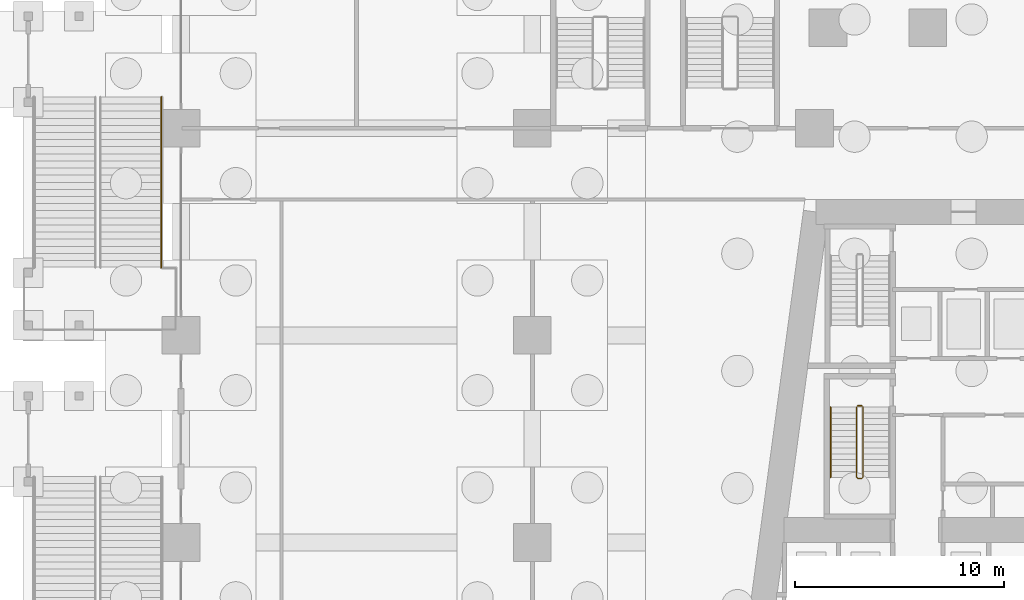
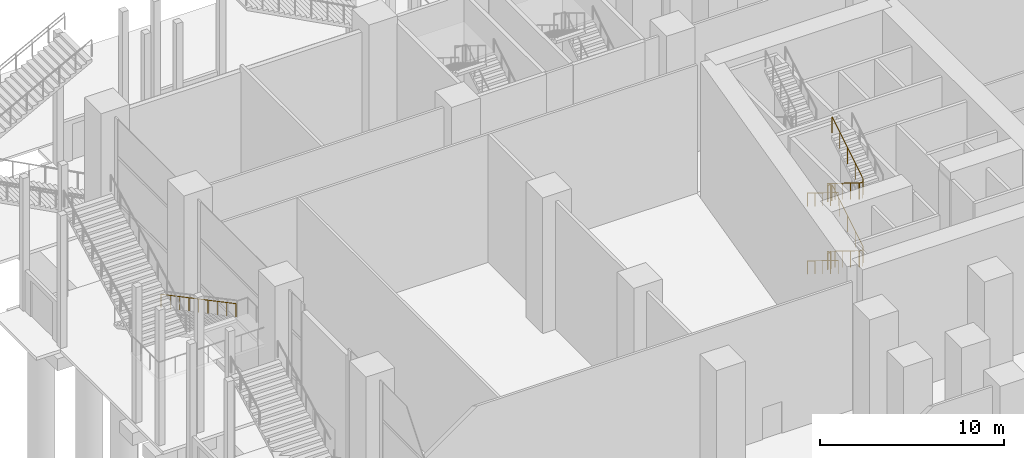
# One storey, part 60 of 72: 7 railings.
"""IFC4 building model written with IfcOpenShell, lengths in metres."""

import ifcopenshell
import ifcopenshell.guid

model = None  # the IFC model being written
_history = None  # IfcOwnerHistory: only IFC2X3 demands one
_inside = {}  # id of a spatial element -> (the spatial element, [elements in it])
_under = {}  # id of a project, library or spatial element -> (it, [spatial elements below it])
_declared = {}  # id of a project -> (the project, [libraries it declares])
_typed = {}  # id of a type object -> (the type object, [elements of that type])
_made_of = {}  # id of a material, layer set ... -> (it, [elements and type objects made of it])


def new_model(schema):
    """Start an empty IFC model of exactly this schema.

    Asked for "IFC4X3", IfcOpenShell would pick the latest addendum, in which some entities
    have other attributes; the version numbers below select the first issue.
    IFC2X3 requires an IfcOwnerHistory on every rooted entity: one is made here for all.
    """
    global model, _history
    if schema == "IFC4X3":
        model = ifcopenshell.file(schema_version=(4, 3, 0, 0))
    else:
        model = ifcopenshell.file(schema=schema)
    _inside.clear()
    _under.clear()
    _declared.clear()
    _typed.clear()
    _made_of.clear()
    _history = None
    if model.schema == "IFC2X3":
        org = make("IfcOrganization", Name="unknown")
        user = make(
            "IfcPersonAndOrganization",
            ThePerson=make("IfcPerson", FamilyName="unknown"),
            TheOrganization=org,
        )
        app = make(
            "IfcApplication",
            ApplicationDeveloper=org,
            Version="unknown",
            ApplicationFullName="unknown",
            ApplicationIdentifier="unknown",
        )
        _history = make(
            "IfcOwnerHistory",
            OwningUser=user,
            OwningApplication=app,
            ChangeAction="ADDED",
            CreationDate=0,
        )
    return model


def make(cls, **values):
    """One entity of the class cls with the attributes given. An attribute that is None is left unset."""
    return model.create_entity(
        cls, **{name: value for name, value in values.items() if value is not None}
    )


def rooted(cls, **values):
    """An entity with a GlobalId (a new one), such as an element, a storey or a relation."""
    return make(cls, GlobalId=ifcopenshell.guid.new(), OwnerHistory=_history, **values)


def si_unit(unit_type, name, prefix=None):
    """IfcSIUnit, for example si_unit("LENGTHUNIT", "METRE", prefix="MILLI")."""
    return make("IfcSIUnit", UnitType=unit_type, Prefix=prefix, Name=name)


def assignment(units):
    """IfcUnitAssignment: the units of a project."""
    return None if units is None else make("IfcUnitAssignment", Units=units)


def point(xyz):
    """IfcCartesianPoint."""
    return None if xyz is None else make("IfcCartesianPoint", Coordinates=xyz)


def direction(xyz):
    """IfcDirection."""
    return None if xyz is None else make("IfcDirection", DirectionRatios=xyz)


def frame(location, z_axis=None, x_axis=None):
    """IfcAxis2Placement3D, a coordinate frame: its origin and axes. An axis left out is left unset."""
    return make(
        "IfcAxis2Placement3D",
        Location=point(location),
        Axis=direction(z_axis),
        RefDirection=direction(x_axis),
    )


def frame_2d(location, x_axis=None):
    """IfcAxis2Placement2D, a coordinate frame in the plane: its origin and x axis."""
    return make(
        "IfcAxis2Placement2D", Location=point(location), RefDirection=direction(x_axis)
    )


def origin():
    """The frame at (0, 0, 0) with its axes left unset."""
    return frame((0.0, 0.0, 0.0))


def origin_2d():
    """The frame at (0, 0) in the plane with its x axis left unset."""
    return frame_2d((0.0, 0.0))


def place(relative_to, where):
    """IfcLocalPlacement: puts the frame where relative to a parent placement (None: the world)."""
    return make(
        "IfcLocalPlacement", PlacementRelTo=relative_to, RelativePlacement=where
    )


def context(
    kind, dimensions, precision=None, world=None, true_north=None, identifier=None
):
    """IfcGeometricRepresentationContext, for example the 3D "Model" context."""
    return make(
        "IfcGeometricRepresentationContext",
        ContextIdentifier=identifier,
        ContextType=kind,
        CoordinateSpaceDimension=dimensions,
        Precision=precision,
        WorldCoordinateSystem=world,
        TrueNorth=true_north,
    )


def subcontext(parent, identifier, kind, view, scale=None):
    """IfcGeometricRepresentationSubContext, for example "Body" below "Model"."""
    return make(
        "IfcGeometricRepresentationSubContext",
        ContextIdentifier=identifier,
        ContextType=kind,
        ParentContext=parent,
        TargetScale=scale,
        TargetView=view,
    )


def project(units=None, contexts=None):
    """IfcProject with its units and contexts."""
    return rooted(
        "IfcProject",
        Name="project",
        RepresentationContexts=contexts,
        UnitsInContext=assignment(units),
    )


def spatial(cls, under=None, at=None, **own):
    """A site, building, storey or space (cls), placed at a placement, below another one or the project."""
    s = rooted(cls, ObjectPlacement=at, **own)
    if under is not None:
        _under.setdefault(under.id(), (under, []))[1].append(s)
    return s


def profile(cls, at=None, kind="AREA", **sizes):
    """A parametric profile (cls). Its sizes go by their IFC names, for example OverallWidth=200.0."""
    return make(cls, ProfileType=kind, Position=at, **sizes)


def circle(**sizes):
    """IfcCircleProfileDef."""
    return profile("IfcCircleProfileDef", **sizes)


def extrude(swept, where, along, depth):
    """IfcExtrudedAreaSolid: the profile swept, set in the frame where, extruded along a direction by depth."""
    return make(
        "IfcExtrudedAreaSolid",
        SweptArea=swept,
        Position=where,
        ExtrudedDirection=direction(along),
        Depth=depth,
    )


def shape(context_of_items, identifier, shape_type, items):
    """IfcShapeRepresentation: the items that make up one representation, for example the "Body"."""
    return make(
        "IfcShapeRepresentation",
        ContextOfItems=context_of_items,
        RepresentationIdentifier=identifier,
        RepresentationType=shape_type,
        Items=items,
    )


def material(Name=None, Category=None):
    """IfcMaterial."""
    return make("IfcMaterial", Name=Name, Category=Category)


def made_of(thing, what):
    """Note that an element or type object is made of a material, layer set ...; save() writes the relation."""
    if what is not None:
        _made_of.setdefault(what.id(), (what, []))[1].append(thing)
    return thing


def type_object(cls, material=None, **own):
    """A type object (cls), such as IfcWallType, which elements share."""
    return made_of(rooted(cls, **own), material)


def element(
    cls,
    number,
    at=None,
    inside=None,
    cuts=None,
    type_object=None,
    material=None,
    context=None,
    identifier="Body",
    shape_type=None,
    held_by="IfcProductDefinitionShape",
    body=None,
    shapes=None,
    **own,
):
    """One element of the class cls, such as IfcWall. Its Tag is "e" and its number.

    at: its placement. inside: the storey or other place that contains it. cuts: it is an
    opening in that element (IfcRelVoidsElement). A single representation is given by context,
    identifier, shape_type and body (its items); several are given by shapes. held_by: the class
    of the entity that holds the representations. save() writes the other relations.
    """
    e = rooted(cls, Tag="e%d" % number, ObjectPlacement=at, **own)
    if body is not None:
        shapes = [shape(context, identifier, shape_type, body)]
    if shapes is not None:
        e.Representation = make(held_by, Representations=shapes)
    if inside is not None:
        _inside.setdefault(inside.id(), (inside, []))[1].append(e)
    if cuts is not None:
        rooted(
            "IfcRelVoidsElement", RelatingBuildingElement=cuts, RelatedOpeningElement=e
        )
    if type_object is not None:
        _typed.setdefault(type_object.id(), (type_object, []))[1].append(e)
    return made_of(e, material)


def aggregate(whole, parts):
    """IfcRelAggregates: a whole, such as a stair, and the parts it consists of."""
    return rooted("IfcRelAggregates", RelatingObject=whole, RelatedObjects=parts)


def save(model, path):
    """Write the relations noted so far, then the file.

    IfcRelAggregates (storeys below a building ...), IfcRelContainedInSpatialStructure (elements
    in a storey), IfcRelDefinesByType, IfcRelAssociatesMaterial and IfcRelDeclares: one each for
    every whole, place, type object, material and project.
    """
    for whole, parts in _under.values():
        aggregate(whole, parts)
    for where, things in _inside.values():
        rooted(
            "IfcRelContainedInSpatialStructure",
            RelatedElements=things,
            RelatingStructure=where,
        )
    for kind, things in _typed.values():
        rooted("IfcRelDefinesByType", RelatedObjects=things, RelatingType=kind)
    for what, things in _made_of.values():
        rooted("IfcRelAssociatesMaterial", RelatedObjects=things, RelatingMaterial=what)
    for by, libraries in _declared.values():
        rooted("IfcRelDeclares", RelatingContext=by, RelatedDefinitions=libraries)
    model.write(path)


model = new_model("IFC4")

# Units and contexts
model_context = context("Model", 3, precision=1e-05, world=origin(), true_north=direction((0.0, 1.0)))
body_context = subcontext(model_context, "Body", "Model", "MODEL_VIEW")
ifc_project = project(units=[si_unit("LENGTHUNIT", "METRE"), si_unit("AREAUNIT", "SQUARE_METRE"), si_unit("VOLUMEUNIT", "CUBIC_METRE"), si_unit("PLANEANGLEUNIT", "RADIAN"), si_unit("MASSUNIT", "GRAM", prefix="KILO")], contexts=[model_context])

# Site, building, storey
site_placement = place(None, origin())
site = spatial("IfcSite", under=ifc_project, at=site_placement, CompositionType="ELEMENT")
building_placement = place(site_placement, origin())
building = spatial("IfcBuilding", under=site, at=building_placement, Name="Candeia Pilgrim Tower and Theatre", CompositionType="ELEMENT")
storey_placement = place(building_placement, origin())
storey = spatial("IfcBuildingStorey", under=building, at=storey_placement, Name="L00", CompositionType="ELEMENT", Elevation=0.0)

# Railings
ifc_material_1 = material(Name="Stainless steel balustrade", Category="steel")
railing_type_1 = type_object("IfcRailingType", Name="RL-GUARD-1100", PredefinedType="GUARDRAIL", material=ifc_material_1)
railing_1_placement = place(storey_placement, frame((91.10205078125, 122.47509765625, 0.173095703125)))
element("IfcRailing", 1, at=railing_1_placement, inside=storey, type_object=railing_type_1, Name="L00 ST1 stair guard 1", PredefinedType="GUARDRAIL", context=body_context, shape_type="SweptSolid", body=[
    extrude(circle(Radius=0.02392578125, at=origin_2d()), frame((0.0, 0.0, 1.076171875), z_axis=(0.0, -0.850623216509, 0.525775754039), x_axis=(1.0, 0.0, 0.0)), (0.0, 0.0, 1.0), 3.9501953125),
    extrude(circle(Radius=0.02392578125, at=origin_2d()), frame((0.0, -3.360107421875, 3.15283203125), z_axis=(0.707106781187, -0.707106781187, 0.0), x_axis=(0.707106781187, 0.707106781187, 0.0)), (0.0, 0.0, 1.0), 0.07080078125),
    extrude(circle(Radius=0.02392578125, at=origin_2d()), frame((0.050048828125, -3.41015625, 3.15283203125), z_axis=(1.0, 0.0, 0.0), x_axis=(0.0, 1.0, 0.0)), (0.0, 0.0, 1.0), 0.199951171875),
    extrude(circle(Radius=0.02392578125, at=origin_2d()), frame((0.25, -3.41015625, 3.15283203125), z_axis=(0.267629722418, 0.267629722418, 0.925607186314), x_axis=(-0.707106781187, 0.707106781187, 0.0)), (0.0, 0.0, 1.0), 0.18701171875),
    extrude(circle(Radius=0.02392578125, at=origin_2d()), frame((0.300048828125, -3.360107421875, 3.326171875), z_axis=(0.0, 0.850623216509, 0.525775754039), x_axis=(-1.0, 0.0, 0.0)), (0.0, 0.0, 1.0), 3.9501953125),
    extrude(circle(Radius=0.02099609375, at=origin_2d()), origin(), (0.0, 0.0, 1.0), 1.052001953125),
    extrude(circle(Radius=0.02099609375, at=origin_2d()), frame((0.0, -0.840087890625, 0.519287109375)), (0.0, 0.0, 1.0), 1.052001953125),
    extrude(circle(Radius=0.02099609375, at=origin_2d()), frame((0.0, -1.68017578125, 1.03857421875)), (0.0, 0.0, 1.0), 1.052001953125),
    extrude(circle(Radius=0.02099609375, at=origin_2d()), frame((0.0, -2.52001953125, 1.5576171875)), (0.0, 0.0, 1.0), 1.052001953125),
    extrude(circle(Radius=0.02099609375, at=origin_2d()), frame((0.0, -3.360107421875, 2.076904296875)), (0.0, 0.0, 1.0), 1.052001953125),
    extrude(circle(Radius=0.02099609375, at=origin_2d()), frame((0.050048828125, -3.41015625, 2.076904296875)), (0.0, 0.0, 1.0), 1.052001953125),
    extrude(circle(Radius=0.02099609375, at=origin_2d()), frame((0.25, -3.41015625, 2.076904296875)), (0.0, 0.0, 1.0), 1.052001953125),
    extrude(circle(Radius=0.02099609375, at=origin_2d()), frame((0.300048828125, -3.360107421875, 2.25)), (0.0, 0.0, 1.0), 1.052001953125),
    extrude(circle(Radius=0.02099609375, at=origin_2d()), frame((0.300048828125, -2.52001953125, 2.769287109375)), (0.0, 0.0, 1.0), 1.052001953125),
    extrude(circle(Radius=0.02099609375, at=origin_2d()), frame((0.300048828125, -1.68017578125, 3.28857421875)), (0.0, 0.0, 1.0), 1.052001953125),
    extrude(circle(Radius=0.02099609375, at=origin_2d()), frame((0.300048828125, -0.840087890625, 3.8076171875)), (0.0, 0.0, 1.0), 1.052001953125),
    extrude(circle(Radius=0.02099609375, at=origin_2d()), frame((0.300048828125, 0.0, 4.326904296875)), (0.0, 0.0, 1.0), 1.052001953125),
])
railing_2_placement = place(storey_placement, frame((91.152099609375, 122.52490234375, 4.5)))
element("IfcRailing", 2, at=railing_2_placement, inside=storey, type_object=railing_type_1, Name="L00 ST1 stair guard 2", PredefinedType="GUARDRAIL", context=body_context, shape_type="SweptSolid", body=[
    extrude(circle(Radius=0.02392578125, at=origin_2d()), frame((0.0, 0.0, 1.076171875), z_axis=(1.0, 0.0, 0.0), x_axis=(0.0, 1.0, 0.0)), (0.0, 0.0, 1.0), 0.199951171875),
    extrude(circle(Radius=0.02099609375, at=origin_2d()), origin(), (0.0, 0.0, 1.0), 1.052001953125),
    extrude(circle(Radius=0.02099609375, at=origin_2d()), frame((0.199951171875, 0.0, 0.0)), (0.0, 0.0, 1.0), 1.052001953125),
])
railing_3_placement = place(storey_placement, frame((91.10205078125, 122.47509765625, 4.673095703125)))
element("IfcRailing", 3, at=railing_3_placement, inside=storey, type_object=railing_type_1, Name="L00 ST1 stair guard 3", PredefinedType="GUARDRAIL", context=body_context, shape_type="SweptSolid", body=[
    extrude(circle(Radius=0.02392578125, at=origin_2d()), frame((0.0, 0.0, 1.076171875), z_axis=(0.0, -0.850623216509, 0.525775754039), x_axis=(1.0, 0.0, 0.0)), (0.0, 0.0, 1.0), 3.9501953125),
    extrude(circle(Radius=0.02392578125, at=origin_2d()), frame((0.0, -3.360107421875, 3.15283203125), z_axis=(0.707106781187, -0.707106781187, 0.0), x_axis=(0.707106781187, 0.707106781187, 0.0)), (0.0, 0.0, 1.0), 0.07080078125),
    extrude(circle(Radius=0.02392578125, at=origin_2d()), frame((0.050048828125, -3.41015625, 3.15283203125), z_axis=(1.0, 0.0, 0.0), x_axis=(0.0, 1.0, 0.0)), (0.0, 0.0, 1.0), 0.199951171875),
    extrude(circle(Radius=0.02392578125, at=origin_2d()), frame((0.25, -3.41015625, 3.15283203125), z_axis=(0.267629722418, 0.267629722418, 0.925607186314), x_axis=(-0.707106781187, 0.707106781187, 0.0)), (0.0, 0.0, 1.0), 0.18701171875),
    extrude(circle(Radius=0.02392578125, at=origin_2d()), frame((0.300048828125, -3.360107421875, 3.326171875), z_axis=(0.0, 0.850623216509, 0.525775754039), x_axis=(-1.0, 0.0, 0.0)), (0.0, 0.0, 1.0), 3.9501953125),
    extrude(circle(Radius=0.02099609375, at=origin_2d()), origin(), (0.0, 0.0, 1.0), 1.052001953125),
    extrude(circle(Radius=0.02099609375, at=origin_2d()), frame((0.0, -0.840087890625, 0.519287109375)), (0.0, 0.0, 1.0), 1.052001953125),
    extrude(circle(Radius=0.02099609375, at=origin_2d()), frame((0.0, -1.68017578125, 1.03857421875)), (0.0, 0.0, 1.0), 1.052001953125),
    extrude(circle(Radius=0.02099609375, at=origin_2d()), frame((0.0, -2.52001953125, 1.5576171875)), (0.0, 0.0, 1.0), 1.052001953125),
    extrude(circle(Radius=0.02099609375, at=origin_2d()), frame((0.0, -3.360107421875, 2.076904296875)), (0.0, 0.0, 1.0), 1.052001953125),
    extrude(circle(Radius=0.02099609375, at=origin_2d()), frame((0.050048828125, -3.41015625, 2.076904296875)), (0.0, 0.0, 1.0), 1.052001953125),
    extrude(circle(Radius=0.02099609375, at=origin_2d()), frame((0.25, -3.41015625, 2.076904296875)), (0.0, 0.0, 1.0), 1.052001953125),
    extrude(circle(Radius=0.02099609375, at=origin_2d()), frame((0.300048828125, -3.360107421875, 2.25)), (0.0, 0.0, 1.0), 1.052001953125),
    extrude(circle(Radius=0.02099609375, at=origin_2d()), frame((0.300048828125, -2.52001953125, 2.769287109375)), (0.0, 0.0, 1.0), 1.052001953125),
    extrude(circle(Radius=0.02099609375, at=origin_2d()), frame((0.300048828125, -1.68017578125, 3.28857421875)), (0.0, 0.0, 1.0), 1.052001953125),
    extrude(circle(Radius=0.02099609375, at=origin_2d()), frame((0.300048828125, -0.840087890625, 3.8076171875)), (0.0, 0.0, 1.0), 1.052001953125),
    extrude(circle(Radius=0.02099609375, at=origin_2d()), frame((0.300048828125, 0.0, 4.326904296875)), (0.0, 0.0, 1.0), 1.052001953125),
])
railing_4_placement = place(storey_placement, frame((91.152099609375, 122.52490234375, 0.0)))
element("IfcRailing", 4, at=railing_4_placement, inside=storey, type_object=railing_type_1, Name="L00 ST1 stair guard 4", PredefinedType="GUARDRAIL", context=body_context, shape_type="SweptSolid", body=[
    extrude(circle(Radius=0.02392578125, at=origin_2d()), frame((0.0, 0.0, 1.076171875), z_axis=(1.0, 0.0, 0.0), x_axis=(0.0, 1.0, 0.0)), (0.0, 0.0, 1.0), 0.199951171875),
    extrude(circle(Radius=0.02099609375, at=origin_2d()), origin(), (0.0, 0.0, 1.0), 1.052001953125),
    extrude(circle(Radius=0.02099609375, at=origin_2d()), frame((0.199951171875, 0.0, 0.0)), (0.0, 0.0, 1.0), 1.052001953125),
])
ifc_material_2 = material(Name="Stainless steel handrail", Category="steel")
railing_type_2 = type_object("IfcRailingType", Name="RL-HANDRAIL-900", PredefinedType="HANDRAIL", material=ifc_material_2)
for number, where, name in (
    (5, (89.85205078125, 122.47509765625, 0.173095703125), "L00 ST1 stair handrail 1"),
    (6, (89.85205078125, 122.47509765625, 4.673095703125), "L00 ST1 stair handrail 3"),
):
    element("IfcRailing", number, at=place(storey_placement, frame(where)), inside=storey, type_object=railing_type_2, Name=name, PredefinedType="HANDRAIL", context=body_context, shape_type="SweptSolid", body=[
        extrude(circle(Radius=0.02392578125, at=origin_2d()), frame((0.0, 0.0, 0.8759765625), z_axis=(0.0, -0.850623216509, 0.525775754039), x_axis=(1.0, 0.0, 0.0)), (0.0, 0.0, 1.0), 3.9501953125),
        extrude(circle(Radius=0.02099609375, at=origin_2d()), origin(), (0.0, 0.0, 1.0), 0.851806640625),
        extrude(circle(Radius=0.02099609375, at=origin_2d()), frame((0.0, -0.840087890625, 0.519287109375)), (0.0, 0.0, 1.0), 0.851806640625),
        extrude(circle(Radius=0.02099609375, at=origin_2d()), frame((0.0, -1.68017578125, 1.03857421875)), (0.0, 0.0, 1.0), 0.851806640625),
        extrude(circle(Radius=0.02099609375, at=origin_2d()), frame((0.0, -2.52001953125, 1.5576171875)), (0.0, 0.0, 1.0), 0.851806640625),
        extrude(circle(Radius=0.02099609375, at=origin_2d()), frame((0.0, -3.360107421875, 2.076904296875)), (0.0, 0.0, 1.0), 0.851806640625),
    ])
railing_5_placement = place(storey_placement, frame((57.85009765625, 137.300048828125, 0.179931640625)))
element("IfcRailing", 7, at=railing_5_placement, inside=storey, type_object=railing_type_2, Name="L00 ES13 stair handrail 1", PredefinedType="HANDRAIL", context=body_context, shape_type="SweptSolid", body=[
    extrude(circle(Radius=0.02392578125, at=origin_2d()), frame((0.0, 0.0, 0.8759765625), z_axis=(0.0, -0.883788559524, 0.467886505528), x_axis=(1.0, 0.0, 0.0)), (0.0, 0.0, 1.0), 9.233154296875),
    extrude(circle(Radius=0.02099609375, at=origin_2d()), origin(), (0.0, 0.0, 1.0), 0.851806640625),
    extrude(circle(Radius=0.02099609375, at=origin_2d()), frame((0.0, -1.02001953125, 0.5400390625)), (0.0, 0.0, 1.0), 0.851806640625),
    extrude(circle(Radius=0.02099609375, at=origin_2d()), frame((0.0, -2.0400390625, 1.080078125)), (0.0, 0.0, 1.0), 0.851806640625),
    extrude(circle(Radius=0.02099609375, at=origin_2d()), frame((0.0, -3.06005859375, 1.6201171875)), (0.0, 0.0, 1.0), 0.851806640625),
    extrude(circle(Radius=0.02099609375, at=origin_2d()), frame((0.0, -4.080078125, 2.16015625)), (0.0, 0.0, 1.0), 0.851806640625),
    extrude(circle(Radius=0.02099609375, at=origin_2d()), frame((0.0, -5.10009765625, 2.699951171875)), (0.0, 0.0, 1.0), 0.851806640625),
    extrude(circle(Radius=0.02099609375, at=origin_2d()), frame((0.0, -6.1201171875, 3.239990234375)), (0.0, 0.0, 1.0), 0.851806640625),
    extrude(circle(Radius=0.02099609375, at=origin_2d()), frame((0.0, -7.14013671875, 3.780029296875)), (0.0, 0.0, 1.0), 0.851806640625),
    extrude(circle(Radius=0.02099609375, at=origin_2d()), frame((0.0, -8.16015625, 4.320068359375)), (0.0, 0.0, 1.0), 0.851806640625),
])

save(model, "model.ifc")
